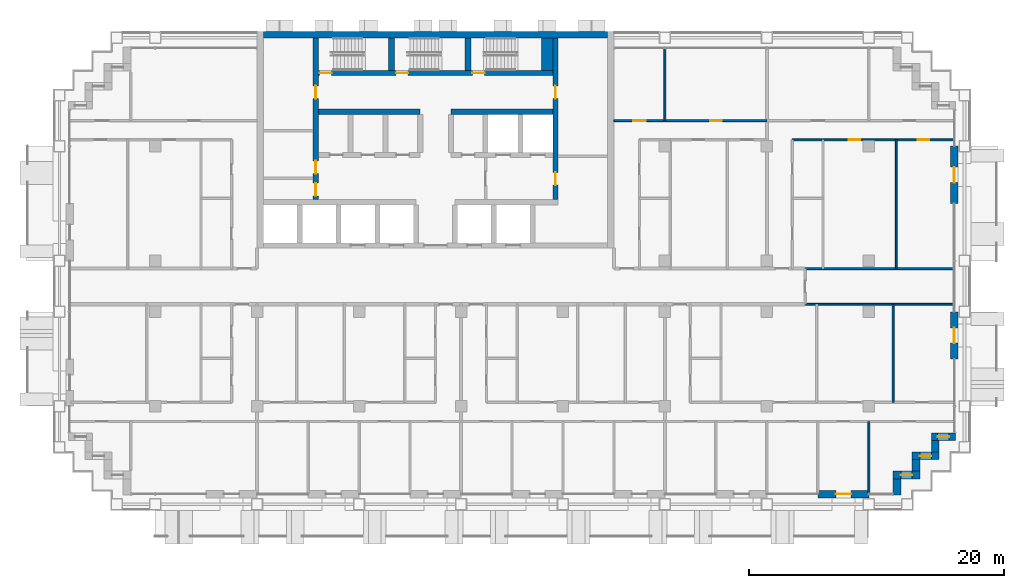
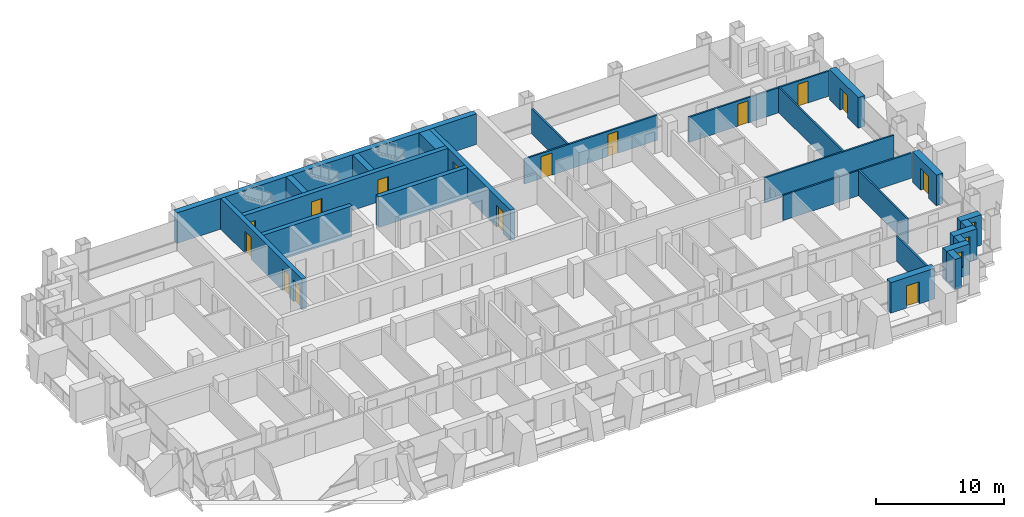
# One storey, part 13 of 18: 26 walls, 15 doors, 3 windows, 18 openings.
"""IFC4 building model written with IfcOpenShell, lengths in metres."""

from ifc_helpers import new_model, si_unit, direction, frame, frame_2d, origin, place, context, subcontext, project, spatial, rectangle, extrude, material, layer, layer_set, type_object, element, fill, save


model = new_model("IFC4")

# Units and contexts
model_context = context("Model", 3, precision=1e-05, world=origin(), true_north=direction((0.0, 1.0)))
body_context = subcontext(model_context, "Body", "Model", "MODEL_VIEW")
ifc_project = project(units=[si_unit("LENGTHUNIT", "METRE"), si_unit("AREAUNIT", "SQUARE_METRE"), si_unit("VOLUMEUNIT", "CUBIC_METRE"), si_unit("PLANEANGLEUNIT", "RADIAN"), si_unit("MASSUNIT", "GRAM", prefix="KILO")], contexts=[model_context])

# Site, building, storey
site_placement = place(None, origin())
site = spatial("IfcSite", under=ifc_project, at=site_placement, CompositionType="ELEMENT")
building_placement = place(site_placement, origin())
building = spatial("IfcBuilding", under=site, at=building_placement, Name="Vidyagriha Tower", CompositionType="ELEMENT")
storey_placement = place(building_placement, frame((0.0, 0.0, 90.300048828125)))
storey = spatial("IfcBuildingStorey", under=building, at=storey_placement, Name="L23", CompositionType="ELEMENT", Elevation=90.300048828125)

# Wall, opening, door
ifc_material_1 = material(Name="Precast concrete C40/50 with brick facing", Category="concrete")
ifc_layer_1 = layer(ifc_material_1, 0.60009765625)
ifc_layer_set_1 = layer_set([ifc_layer_1], Name="Precast concrete C40/50 with brick facing")
wall_type_1 = type_object("IfcWallType", Name="Brick-faced precast wall 600", PredefinedType="STANDARD", material=ifc_layer_set_1)
wall_1_placement = place(storey_placement, frame((30.0, -16.300048828125, 0.0)))
wall_1 = element("IfcWall", 1, at=wall_1_placement, inside=storey, type_object=wall_type_1, Name="Brick door bay wall L23 R23.15", PredefinedType="STANDARD", context=body_context, shape_type="SweptSolid", body=[
    extrude(rectangle(XDim=4.0, YDim=0.60009765625, at=frame_2d((2.0, 0.0))), origin(), (0.0, 0.0, 1.0), 2.919921875),
])
opening_1_placement = place(wall_1_placement, frame((1.39990234375, 0.0, 0.0)))
opening_1 = element("IfcOpeningElement", 2, at=opening_1_placement, cuts=wall_1, Name="Opening D23-83", PredefinedType="OPENING", context=body_context, shape_type="SweptSolid", body=[
    extrude(rectangle(XDim=1.199951171875, YDim=2.10009765625, at=frame_2d((0.60009765625, 1.050048828125))), frame((0.0, 0.31005859375, 0.0), z_axis=(0.0, -1.0, 0.0), x_axis=(1.0, 0.0, 0.0)), (0.0, 0.0, 1.0), 0.6201171875),
])
ifc_material_2 = material(Name="Aluminium framed glazed sliding door", Category="aluminium")
door_type_1 = type_object("IfcDoorType", Name="Balcony sliding door 1200x2100", OperationType="NOTDEFINED", PredefinedType="DOOR", material=ifc_material_2)
door_1_placement = place(opening_1_placement, origin())
door_1 = element("IfcDoor", 3, at=door_1_placement, inside=storey, type_object=door_type_1, Name="Door D23-83", OperationType="SLIDING_TO_LEFT", OverallHeight=2.10009765625, OverallWidth=1.199951171875, PredefinedType="DOOR", context=body_context, shape_type="SweptSolid", body=[
    extrude(rectangle(XDim=1.199951171875, YDim=2.10009765625, at=frame_2d((0.60009765625, 1.050048828125))), frame((0.0, 0.02490234375, 0.0), z_axis=(0.0, -1.0, 0.0), x_axis=(1.0, 0.0, 0.0)), (0.0, 0.0, 1.0), 0.050048828125),
])
fill(opening_1, door_1)

# Wall
wall_2_placement = place(storey_placement, frame((36.199951171875, -16.3798828125, 0.0), z_axis=(0.0, 0.0, 1.0), x_axis=(0.0, 1.0, 0.0)))
element("IfcWall", 4, at=wall_2_placement, inside=storey, type_object=wall_type_1, Name="Stepped corner wall L23 R24", PredefinedType="STANDARD", context=body_context, shape_type="SweptSolid", body=[
    extrude(rectangle(XDim=1.27978515625, YDim=0.60009765625, at=frame_2d((0.639892578125, 0.0))), origin(), (0.0, 0.0, 1.0), 2.919921875),
])

# Wall, opening, window
wall_3_placement = place(storey_placement, frame((35.89990234375, -14.800048828125, 0.0)))
wall_3 = element("IfcWall", 5, at=wall_3_placement, inside=storey, type_object=wall_type_1, Name="Stepped corner wall L23 R25", PredefinedType="STANDARD", context=body_context, shape_type="SweptSolid", body=[
    extrude(rectangle(XDim=2.10009765625, YDim=0.60009765625, at=frame_2d((1.050048828125, 0.0))), origin(), (0.0, 0.0, 1.0), 2.919921875),
])
opening_2_placement = place(wall_3_placement, frame((0.60009765625, 0.0, 0.89990234375)))
opening_2 = element("IfcOpeningElement", 6, at=opening_2_placement, cuts=wall_3, Name="Opening WN1", PredefinedType="OPENING", context=body_context, shape_type="SweptSolid", body=[
    extrude(rectangle(XDim=0.89990234375, YDim=1.5, at=frame_2d((0.449951171875, 0.75))), frame((0.0, 0.31005859375, 0.0), z_axis=(0.0, -1.0, 0.0), x_axis=(1.0, 0.0, 0.0)), (0.0, 0.0, 1.0), 0.6201171875),
])
ifc_material_3 = material(Name="Aluminium and glass window", Category="aluminium")
window_type = type_object("IfcWindowType", Name="Reveal window 900x1500", PartitioningType="NOTDEFINED", PredefinedType="WINDOW", material=ifc_material_3)
window_1_placement = place(opening_2_placement, origin())
window_1 = element("IfcWindow", 7, at=window_1_placement, inside=storey, type_object=window_type, Name="Reveal window L23 R25", OverallHeight=1.5, OverallWidth=0.89990234375, PartitioningType="SINGLE_PANEL", PredefinedType="WINDOW", context=body_context, shape_type="SweptSolid", body=[
    extrude(rectangle(XDim=0.89990234375, YDim=1.5, at=frame_2d((0.449951171875, 0.75))), frame((0.0, 0.030029296875, 0.0), z_axis=(0.0, -1.0, 0.0), x_axis=(1.0, 0.0, 0.0)), (0.0, 0.0, 1.0), 0.06005859375),
])
fill(opening_2, window_1)

# Wall
wall_4_placement = place(storey_placement, frame((37.699951171875, -14.5, 0.0), z_axis=(0.0, 0.0, 1.0), x_axis=(0.0, 1.0, 0.0)))
element("IfcWall", 8, at=wall_4_placement, inside=storey, type_object=wall_type_1, Name="Stepped corner wall L23 R26", PredefinedType="STANDARD", context=body_context, shape_type="SweptSolid", body=[
    extrude(rectangle(XDim=0.89990234375, YDim=0.60009765625, at=frame_2d((0.449951171875, 0.0))), origin(), (0.0, 0.0, 1.0), 2.919921875),
])

# Wall, opening, window
wall_5_placement = place(storey_placement, frame((37.39990234375, -13.300048828125, 0.0)))
wall_5 = element("IfcWall", 9, at=wall_5_placement, inside=storey, type_object=wall_type_1, Name="Stepped corner wall L23 R27", PredefinedType="STANDARD", context=body_context, shape_type="SweptSolid", body=[
    extrude(rectangle(XDim=2.10009765625, YDim=0.60009765625, at=frame_2d((1.050048828125, 0.0))), origin(), (0.0, 0.0, 1.0), 2.919921875),
])
opening_3_placement = place(wall_5_placement, frame((0.60009765625, 0.0, 0.89990234375)))
opening_3 = element("IfcOpeningElement", 10, at=opening_3_placement, cuts=wall_5, Name="Opening WN1", PredefinedType="OPENING", context=body_context, shape_type="SweptSolid", body=[
    extrude(rectangle(XDim=0.89990234375, YDim=1.5, at=frame_2d((0.449951171875, 0.75))), frame((0.0, 0.31005859375, 0.0), z_axis=(0.0, -1.0, 0.0), x_axis=(1.0, 0.0, 0.0)), (0.0, 0.0, 1.0), 0.6201171875),
])
window_2_placement = place(opening_3_placement, origin())
window_2 = element("IfcWindow", 11, at=window_2_placement, inside=storey, type_object=window_type, Name="Reveal window L23 R27", OverallHeight=1.5, OverallWidth=0.89990234375, PartitioningType="SINGLE_PANEL", PredefinedType="WINDOW", context=body_context, shape_type="SweptSolid", body=[
    extrude(rectangle(XDim=0.89990234375, YDim=1.5, at=frame_2d((0.449951171875, 0.75))), frame((0.0, 0.030029296875, 0.0), z_axis=(0.0, -1.0, 0.0), x_axis=(1.0, 0.0, 0.0)), (0.0, 0.0, 1.0), 0.06005859375),
])
fill(opening_3, window_2)

# Wall
wall_6_placement = place(storey_placement, frame((39.199951171875, -13.0, 0.0), z_axis=(0.0, 0.0, 1.0), x_axis=(0.0, 1.0, 0.0)))
element("IfcWall", 12, at=wall_6_placement, inside=storey, type_object=wall_type_1, Name="Stepped corner wall L23 R28", PredefinedType="STANDARD", context=body_context, shape_type="SweptSolid", body=[
    extrude(rectangle(XDim=0.89990234375, YDim=0.60009765625, at=frame_2d((0.449951171875, 0.0))), origin(), (0.0, 0.0, 1.0), 2.919921875),
])

# Wall, opening, window
wall_7_placement = place(storey_placement, frame((38.89990234375, -11.800048828125, 0.0)))
wall_7 = element("IfcWall", 13, at=wall_7_placement, inside=storey, type_object=wall_type_1, Name="Stepped corner wall L23 R29", PredefinedType="STANDARD", context=body_context, shape_type="SweptSolid", body=[
    extrude(rectangle(XDim=1.880126953125, YDim=0.60009765625, at=frame_2d((0.93994140625, 0.0))), origin(), (0.0, 0.0, 1.0), 2.919921875),
])
opening_4_placement = place(wall_7_placement, frame((0.489990234375, 0.0, 0.89990234375)))
opening_4 = element("IfcOpeningElement", 14, at=opening_4_placement, cuts=wall_7, Name="Opening WN1", PredefinedType="OPENING", context=body_context, shape_type="SweptSolid", body=[
    extrude(rectangle(XDim=0.89990234375, YDim=1.5, at=frame_2d((0.449951171875, 0.75))), frame((0.0, 0.31005859375, 0.0), z_axis=(0.0, -1.0, 0.0), x_axis=(1.0, 0.0, 0.0)), (0.0, 0.0, 1.0), 0.6201171875),
])
window_3_placement = place(opening_4_placement, origin())
window_3 = element("IfcWindow", 15, at=window_3_placement, inside=storey, type_object=window_type, Name="Reveal window L23 R29", OverallHeight=1.5, OverallWidth=0.89990234375, PartitioningType="SINGLE_PANEL", PredefinedType="WINDOW", context=body_context, shape_type="SweptSolid", body=[
    extrude(rectangle(XDim=0.89990234375, YDim=1.5, at=frame_2d((0.449951171875, 0.75))), frame((0.0, 0.030029296875, 0.0), z_axis=(0.0, -1.0, 0.0), x_axis=(1.0, 0.0, 0.0)), (0.0, 0.0, 1.0), 0.06005859375),
])
fill(opening_4, window_3)

# Wall, opening, door
wall_8_placement = place(storey_placement, frame((40.699951171875, -5.699951171875, 0.0), z_axis=(0.0, 0.0, 1.0), x_axis=(0.0, 1.0, 0.0)))
wall_8 = element("IfcWall", 16, at=wall_8_placement, inside=storey, type_object=wall_type_1, Name="Brick door bay wall L23 R30.3", PredefinedType="STANDARD", context=body_context, shape_type="SweptSolid", body=[
    extrude(rectangle(XDim=3.699951171875, YDim=0.60009765625, at=frame_2d((1.85009765625, 0.0))), origin(), (0.0, 0.0, 1.0), 2.919921875),
])
opening_5_placement = place(wall_8_placement, frame((1.25, 0.0, 0.0)))
opening_5 = element("IfcOpeningElement", 17, at=opening_5_placement, cuts=wall_8, Name="Opening D23-84", PredefinedType="OPENING", context=body_context, shape_type="SweptSolid", body=[
    extrude(rectangle(XDim=1.199951171875, YDim=2.10009765625, at=frame_2d((0.60009765625, 1.050048828125))), frame((0.0, 0.31005859375, 0.0), z_axis=(0.0, -1.0, 0.0), x_axis=(1.0, 0.0, 0.0)), (0.0, 0.0, 1.0), 0.6201171875),
])
door_2_placement = place(opening_5_placement, origin())
door_2 = element("IfcDoor", 18, at=door_2_placement, inside=storey, type_object=door_type_1, Name="Door D23-84", OperationType="SLIDING_TO_LEFT", OverallHeight=2.10009765625, OverallWidth=1.199951171875, PredefinedType="DOOR", context=body_context, shape_type="SweptSolid", body=[
    extrude(rectangle(XDim=1.199951171875, YDim=2.10009765625, at=frame_2d((0.60009765625, 1.050048828125))), frame((0.0, 0.02490234375, 0.0), z_axis=(0.0, -1.0, 0.0), x_axis=(1.0, 0.0, 0.0)), (0.0, 0.0, 1.0), 0.050048828125),
])
fill(opening_5, door_2)

wall_9_placement = place(storey_placement, frame((40.699951171875, 6.5, 0.0), z_axis=(0.0, 0.0, 1.0), x_axis=(0.0, 1.0, 0.0)))
wall_9 = element("IfcWall", 19, at=wall_9_placement, inside=storey, type_object=wall_type_1, Name="Brick door bay wall L23 R30.6", PredefinedType="STANDARD", context=body_context, shape_type="SweptSolid", body=[
    extrude(rectangle(XDim=4.5, YDim=0.60009765625, at=frame_2d((2.25, 0.0))), origin(), (0.0, 0.0, 1.0), 2.919921875),
])
opening_6_placement = place(wall_9_placement, frame((1.64990234375, 0.0, 0.0)))
opening_6 = element("IfcOpeningElement", 20, at=opening_6_placement, cuts=wall_9, Name="Opening D23-85", PredefinedType="OPENING", context=body_context, shape_type="SweptSolid", body=[
    extrude(rectangle(XDim=1.199951171875, YDim=2.10009765625, at=frame_2d((0.60009765625, 1.050048828125))), frame((0.0, 0.31005859375, 0.0), z_axis=(0.0, -1.0, 0.0), x_axis=(1.0, 0.0, 0.0)), (0.0, 0.0, 1.0), 0.6201171875),
])
door_3_placement = place(opening_6_placement, origin())
door_3 = element("IfcDoor", 21, at=door_3_placement, inside=storey, type_object=door_type_1, Name="Door D23-85", OperationType="SLIDING_TO_LEFT", OverallHeight=2.10009765625, OverallWidth=1.199951171875, PredefinedType="DOOR", context=body_context, shape_type="SweptSolid", body=[
    extrude(rectangle(XDim=1.199951171875, YDim=2.10009765625, at=frame_2d((0.60009765625, 1.050048828125))), frame((0.0, 0.02490234375, 0.0), z_axis=(0.0, -1.0, 0.0), x_axis=(1.0, 0.0, 0.0)), (0.0, 0.0, 1.0), 0.050048828125),
])
fill(opening_6, door_3)

# Wall, openings, doors
ifc_material_4 = material(Name="Concrete C60/75", Category="concrete")
ifc_layer_2 = layer(ifc_material_4, 0.39990234375)
ifc_layer_set_2 = layer_set([ifc_layer_2], Name="Concrete C60/75")
wall_type_2 = type_object("IfcWallType", Name="Core shear wall 400 mm", PredefinedType="SHEAR", material=ifc_layer_set_2)
wall_10_placement = place(storey_placement, frame((-9.39990234375, 6.800048828125, 0.0), z_axis=(0.0, 0.0, 1.0), x_axis=(0.0, 1.0, 0.0)))
wall_10 = element("IfcWall", 22, at=wall_10_placement, inside=storey, type_object=wall_type_2, Name="Core west spine wall", PredefinedType="SHEAR", context=body_context, shape_type="SweptSolid", body=[
    extrude(rectangle(XDim=12.699951171875, YDim=0.39990234375, at=frame_2d((6.35009765625, 0.0))), origin(), (0.0, 0.0, 1.0), 2.919921875),
])
opening_7_placement = place(wall_10_placement, frame((0.300048828125, 0.0, 0.0)))
opening_7 = element("IfcOpeningElement", 23, at=opening_7_placement, cuts=wall_10, Name="Opening D23-10", PredefinedType="OPENING", context=body_context, shape_type="SweptSolid", body=[
    extrude(rectangle(XDim=1.0, YDim=2.10009765625, at=frame_2d((0.5, 1.050048828125))), frame((0.0, 0.2099609375, 0.0), z_axis=(0.0, -1.0, 0.0), x_axis=(1.0, 0.0, 0.0)), (0.0, 0.0, 1.0), 0.419921875),
])
opening_8_placement = place(wall_10_placement, frame((2.050048828125, 0.0, 0.0)))
opening_8 = element("IfcOpeningElement", 24, at=opening_8_placement, cuts=wall_10, Name="Opening D23-11", PredefinedType="OPENING", context=body_context, shape_type="SweptSolid", body=[
    extrude(rectangle(XDim=1.0, YDim=2.10009765625, at=frame_2d((0.5, 1.050048828125))), frame((0.0, 0.2099609375, 0.0), z_axis=(0.0, -1.0, 0.0), x_axis=(1.0, 0.0, 0.0)), (0.0, 0.0, 1.0), 0.419921875),
])
opening_9_placement = place(wall_10_placement, frame((7.925048828125, 0.0, 0.0)))
opening_9 = element("IfcOpeningElement", 25, at=opening_9_placement, cuts=wall_10, Name="Opening D23-12", PredefinedType="OPENING", context=body_context, shape_type="SweptSolid", body=[
    extrude(rectangle(XDim=1.0, YDim=2.10009765625, at=frame_2d((0.5, 1.050048828125))), frame((0.0, 0.2099609375, 0.0), z_axis=(0.0, -1.0, 0.0), x_axis=(1.0, 0.0, 0.0)), (0.0, 0.0, 1.0), 0.419921875),
])
ifc_material_5 = material(Name="Hollow metal door leaf")
door_type_2 = type_object("IfcDoorType", Name="Core room door 1000 x 2100 mm EI 60", OperationType="NOTDEFINED", PredefinedType="DOOR", material=ifc_material_5)
door_4_placement = place(opening_7_placement, frame((1.0, 0.0, 0.0), z_axis=(0.0, 0.0, 1.0), x_axis=(-1.0, 0.0, 0.0)))
door_4 = element("IfcDoor", 26, at=door_4_placement, inside=storey, type_object=door_type_2, Name="Door Switchgear Room 23.W1", OperationType="SINGLE_SWING_RIGHT", OverallHeight=2.10009765625, OverallWidth=1.0, PredefinedType="DOOR", context=body_context, shape_type="SweptSolid", body=[
    extrude(rectangle(XDim=1.0, YDim=2.10009765625, at=frame_2d((0.5, 1.050048828125))), frame((0.0, 0.02490234375, 0.0), z_axis=(0.0, -1.0, 0.0), x_axis=(1.0, 0.0, 0.0)), (0.0, 0.0, 1.0), 0.050048828125),
])
fill(opening_7, door_4)
door_5_placement = place(opening_8_placement, frame((1.0, 0.0, 0.0), z_axis=(0.0, 0.0, 1.0), x_axis=(-1.0, 0.0, 0.0)))
door_5 = element("IfcDoor", 27, at=door_5_placement, inside=storey, type_object=door_type_2, Name="Door Communications Room 23.W2", OperationType="SINGLE_SWING_LEFT", OverallHeight=2.10009765625, OverallWidth=1.0, PredefinedType="DOOR", context=body_context, shape_type="SweptSolid", body=[
    extrude(rectangle(XDim=1.0, YDim=2.10009765625, at=frame_2d((0.5, 1.050048828125))), frame((0.0, 0.02490234375, 0.0), z_axis=(0.0, -1.0, 0.0), x_axis=(1.0, 0.0, 0.0)), (0.0, 0.0, 1.0), 0.050048828125),
])
fill(opening_8, door_5)
door_6_placement = place(opening_9_placement, frame((1.0, 0.0, 0.0), z_axis=(0.0, 0.0, 1.0), x_axis=(-1.0, 0.0, 0.0)))
door_6 = element("IfcDoor", 28, at=door_6_placement, inside=storey, type_object=door_type_2, Name="Door Pressurisation Plant Room 23.W3", OperationType="SINGLE_SWING_LEFT", OverallHeight=2.10009765625, OverallWidth=1.0, PredefinedType="DOOR", context=body_context, shape_type="SweptSolid", body=[
    extrude(rectangle(XDim=1.0, YDim=2.10009765625, at=frame_2d((0.5, 1.050048828125))), frame((0.0, 0.02490234375, 0.0), z_axis=(0.0, -1.0, 0.0), x_axis=(1.0, 0.0, 0.0)), (0.0, 0.0, 1.0), 0.050048828125),
])
fill(opening_9, door_6)

wall_11_placement = place(storey_placement, frame((9.39990234375, 6.800048828125, 0.0), z_axis=(0.0, 0.0, 1.0), x_axis=(0.0, 1.0, 0.0)))
wall_11 = element("IfcWall", 29, at=wall_11_placement, inside=storey, type_object=wall_type_2, Name="Core east spine wall", PredefinedType="SHEAR", context=body_context, shape_type="SweptSolid", body=[
    extrude(rectangle(XDim=12.699951171875, YDim=0.39990234375, at=frame_2d((6.35009765625, 0.0))), origin(), (0.0, 0.0, 1.0), 2.919921875),
])
opening_10_placement = place(wall_11_placement, frame((1.14990234375, 0.0, 0.0)))
opening_10 = element("IfcOpeningElement", 30, at=opening_10_placement, cuts=wall_11, Name="Opening D23-13", PredefinedType="OPENING", context=body_context, shape_type="SweptSolid", body=[
    extrude(rectangle(XDim=1.0, YDim=2.10009765625, at=frame_2d((0.5, 1.050048828125))), frame((0.0, 0.2099609375, 0.0), z_axis=(0.0, -1.0, 0.0), x_axis=(1.0, 0.0, 0.0)), (0.0, 0.0, 1.0), 0.419921875),
])
opening_11_placement = place(wall_11_placement, frame((7.925048828125, 0.0, 0.0)))
opening_11 = element("IfcOpeningElement", 31, at=opening_11_placement, cuts=wall_11, Name="Opening D23-14", PredefinedType="OPENING", context=body_context, shape_type="SweptSolid", body=[
    extrude(rectangle(XDim=1.0, YDim=2.10009765625, at=frame_2d((0.5, 1.050048828125))), frame((0.0, 0.2099609375, 0.0), z_axis=(0.0, -1.0, 0.0), x_axis=(1.0, 0.0, 0.0)), (0.0, 0.0, 1.0), 0.419921875),
])
door_7_placement = place(opening_10_placement, origin())
door_7 = element("IfcDoor", 32, at=door_7_placement, inside=storey, type_object=door_type_2, Name="Door Electrical Room 23.E1", OperationType="SINGLE_SWING_RIGHT", OverallHeight=2.10009765625, OverallWidth=1.0, PredefinedType="DOOR", context=body_context, shape_type="SweptSolid", body=[
    extrude(rectangle(XDim=1.0, YDim=2.10009765625, at=frame_2d((0.5, 1.050048828125))), frame((0.0, 0.02490234375, 0.0), z_axis=(0.0, -1.0, 0.0), x_axis=(1.0, 0.0, 0.0)), (0.0, 0.0, 1.0), 0.050048828125),
])
fill(opening_10, door_7)
door_8_placement = place(opening_11_placement, origin())
door_8 = element("IfcDoor", 33, at=door_8_placement, inside=storey, type_object=door_type_2, Name="Door Refuse Room 23.E2", OperationType="SINGLE_SWING_LEFT", OverallHeight=2.10009765625, OverallWidth=1.0, PredefinedType="DOOR", context=body_context, shape_type="SweptSolid", body=[
    extrude(rectangle(XDim=1.0, YDim=2.10009765625, at=frame_2d((0.5, 1.050048828125))), frame((0.0, 0.02490234375, 0.0), z_axis=(0.0, -1.0, 0.0), x_axis=(1.0, 0.0, 0.0)), (0.0, 0.0, 1.0), 0.050048828125),
])
fill(opening_11, door_8)

# Walls
for number, where, name in (
    (34, (-9.199951171875, 13.699951171875, 0.0), "Core row N rear wall"),
    (35, (1.199951171875, 13.699951171875, 0.0), "Core row N rear wall"),
):
    element("IfcWall", number, at=place(storey_placement, frame(where)), inside=storey, type_object=wall_type_2, Name=name, PredefinedType="SHEAR", context=body_context, shape_type="SweptSolid", body=[
        extrude(rectangle(XDim=8.0, YDim=0.39990234375, at=frame_2d((4.0, 0.0))), origin(), (0.0, 0.0, 1.0), 2.919921875),
    ])

# Wall, openings, doors
wall_12_placement = place(storey_placement, frame((-9.199951171875, 16.75, 0.0)))
wall_12 = element("IfcWall", 36, at=wall_12_placement, inside=storey, type_object=wall_type_2, Name="Stair front wall", PredefinedType="SHEAR", context=body_context, shape_type="SweptSolid", body=[
    extrude(rectangle(XDim=18.39990234375, YDim=0.39990234375, at=frame_2d((9.199951171875, 0.0))), origin(), (0.0, 0.0, 1.0), 2.919921875),
])
opening_12_placement = place(wall_12_placement, frame((0.10009765625, 0.0, 0.0)))
opening_12 = element("IfcOpeningElement", 37, at=opening_12_placement, cuts=wall_12, Name="Opening D23-07", PredefinedType="OPENING", context=body_context, shape_type="SweptSolid", body=[
    extrude(rectangle(XDim=0.949951171875, YDim=2.10009765625, at=frame_2d((0.47509765625, 1.050048828125))), frame((0.0, 0.2099609375, 0.0), z_axis=(0.0, -1.0, 0.0), x_axis=(1.0, 0.0, 0.0)), (0.0, 0.0, 1.0), 0.419921875),
])
opening_13_placement = place(wall_12_placement, frame((6.10009765625, 0.0, 0.0)))
opening_13 = element("IfcOpeningElement", 38, at=opening_13_placement, cuts=wall_12, Name="Opening D23-08", PredefinedType="OPENING", context=body_context, shape_type="SweptSolid", body=[
    extrude(rectangle(XDim=0.949951171875, YDim=2.10009765625, at=frame_2d((0.47509765625, 1.050048828125))), frame((0.0, 0.2099609375, 0.0), z_axis=(0.0, -1.0, 0.0), x_axis=(1.0, 0.0, 0.0)), (0.0, 0.0, 1.0), 0.419921875),
])
opening_14_placement = place(wall_12_placement, frame((12.10009765625, 0.0, 0.0)))
opening_14 = element("IfcOpeningElement", 39, at=opening_14_placement, cuts=wall_12, Name="Opening D23-09", PredefinedType="OPENING", context=body_context, shape_type="SweptSolid", body=[
    extrude(rectangle(XDim=0.949951171875, YDim=2.10009765625, at=frame_2d((0.47509765625, 1.050048828125))), frame((0.0, 0.2099609375, 0.0), z_axis=(0.0, -1.0, 0.0), x_axis=(1.0, 0.0, 0.0)), (0.0, 0.0, 1.0), 0.419921875),
])
ifc_material_6 = material(Name="Hollow metal door leaf")
door_type_3 = type_object("IfcDoorType", Name="Exit stair door 950 x 2100 mm EI 90", OperationType="NOTDEFINED", PredefinedType="DOOR", material=ifc_material_6)
door_9_placement = place(opening_12_placement, origin())
door_9 = element("IfcDoor", 40, at=door_9_placement, inside=storey, type_object=door_type_3, Name="Stair door ST1 L23", OperationType="SINGLE_SWING_LEFT", OverallHeight=2.10009765625, OverallWidth=0.949951171875, PredefinedType="DOOR", context=body_context, shape_type="SweptSolid", body=[
    extrude(rectangle(XDim=0.949951171875, YDim=2.10009765625, at=frame_2d((0.47509765625, 1.050048828125))), frame((0.0, 0.02490234375, 0.0), z_axis=(0.0, -1.0, 0.0), x_axis=(1.0, 0.0, 0.0)), (0.0, 0.0, 1.0), 0.050048828125),
])
fill(opening_12, door_9)
door_10_placement = place(opening_13_placement, origin())
door_10 = element("IfcDoor", 41, at=door_10_placement, inside=storey, type_object=door_type_3, Name="Stair door ST2 L23", OperationType="SINGLE_SWING_LEFT", OverallHeight=2.10009765625, OverallWidth=0.949951171875, PredefinedType="DOOR", context=body_context, shape_type="SweptSolid", body=[
    extrude(rectangle(XDim=0.949951171875, YDim=2.10009765625, at=frame_2d((0.47509765625, 1.050048828125))), frame((0.0, 0.02490234375, 0.0), z_axis=(0.0, -1.0, 0.0), x_axis=(1.0, 0.0, 0.0)), (0.0, 0.0, 1.0), 0.050048828125),
])
fill(opening_13, door_10)
door_11_placement = place(opening_14_placement, origin())
door_11 = element("IfcDoor", 42, at=door_11_placement, inside=storey, type_object=door_type_3, Name="Stair door ST3 L23", OperationType="SINGLE_SWING_LEFT", OverallHeight=2.10009765625, OverallWidth=0.949951171875, PredefinedType="DOOR", context=body_context, shape_type="SweptSolid", body=[
    extrude(rectangle(XDim=0.949951171875, YDim=2.10009765625, at=frame_2d((0.47509765625, 1.050048828125))), frame((0.0, 0.02490234375, 0.0), z_axis=(0.0, -1.0, 0.0), x_axis=(1.0, 0.0, 0.0)), (0.0, 0.0, 1.0), 0.050048828125),
])
fill(opening_14, door_11)

# Walls
ifc_material_7 = material(Name="Concrete C60/75", Category="concrete")
ifc_layer_3 = layer(ifc_material_7, 0.5)
ifc_layer_set_3 = layer_set([ifc_layer_3], Name="Concrete C60/75")
wall_type_3 = type_object("IfcWallType", Name="Core shear wall 500 mm", PredefinedType="SHEAR", material=ifc_layer_set_3)
wall_13_placement = place(storey_placement, frame((-13.5, 19.75, 0.0)))
element("IfcWall", 43, at=wall_13_placement, inside=storey, type_object=wall_type_3, Name="Core north wall", PredefinedType="SHEAR", context=body_context, shape_type="SweptSolid", body=[
    extrude(rectangle(XDim=27.0, YDim=0.5, at=frame_2d((13.5, 0.0))), origin(), (0.0, 0.0, 1.0), 2.919921875),
])
for number, where, z_axis, x_axis, name in (
    (44, (-3.449951171875, 16.949951171875, 0.0), (0.0, 0.0, 1.0), (0.0, 1.0, 0.0), "Stair partition wall 1"),
    (45, (2.550048828125, 16.949951171875, 0.0), (0.0, 0.0, 1.0), (0.0, 1.0, 0.0), "Stair partition wall 2"),
):
    element("IfcWall", number, at=place(storey_placement, frame(where, z_axis=z_axis, x_axis=x_axis)), inside=storey, type_object=wall_type_3, Name=name, PredefinedType="SHEAR", context=body_context, shape_type="SweptSolid", body=[
        extrude(rectangle(XDim=2.550048828125, YDim=0.5, at=frame_2d((1.27490234375, 0.0))), origin(), (0.0, 0.0, 1.0), 2.919921875),
    ])
ifc_material_8 = material(Name="Concrete C60/75", Category="concrete")
ifc_layer_4 = layer(ifc_material_8, 0.89990234375)
ifc_layer_set_4 = layer_set([ifc_layer_4], Name="Concrete C60/75")
wall_type_4 = type_object("IfcWallType", Name="Core shear wall 900 mm", PredefinedType="SHEAR", material=ifc_layer_set_4)
wall_14_placement = place(storey_placement, frame((8.75, 16.949951171875, 0.0), z_axis=(0.0, 0.0, 1.0), x_axis=(0.0, 1.0, 0.0)))
element("IfcWall", 46, at=wall_14_placement, inside=storey, type_object=wall_type_4, Name="Stair end wall", PredefinedType="SHEAR", context=body_context, shape_type="SweptSolid", body=[
    extrude(rectangle(XDim=2.550048828125, YDim=0.89990234375, at=frame_2d((1.27490234375, 0.0))), origin(), (0.0, 0.0, 1.0), 2.919921875),
])
ifc_material_9 = material(Name="Gypsum board partition")
ifc_layer_5 = layer(ifc_material_9, 0.14990234375)
ifc_layer_set_5 = layer_set([ifc_layer_5], Name="Gypsum board partition")
wall_type_5 = type_object("IfcWallType", Name="Gypsum board partition 150", PredefinedType="PARTITIONING", material=ifc_layer_set_5)
wall_15_placement = place(storey_placement, frame((35.89990234375, -1.39990234375, 0.0), z_axis=(0.0, 0.0, 1.0), x_axis=(0.0, -1.0, 0.0)))
element("IfcWall", 47, at=wall_15_placement, inside=storey, type_object=wall_type_5, Name="Wall all-L23-w063", PredefinedType="PARTITIONING", context=body_context, shape_type="SweptSolid", body=[
    extrude(rectangle(XDim=7.7001953125, YDim=0.14990234375, at=frame_2d((3.85009765625, 0.0))), origin(), (0.0, 0.0, 1.0), 2.39990234375),
])
wall_16_placement = place(storey_placement, frame((34.0, -10.60009765625, 0.0), z_axis=(0.0, 0.0, 1.0), x_axis=(0.0, -1.0, 0.0)))
element("IfcWall", 48, at=wall_16_placement, inside=storey, type_object=wall_type_5, Name="Wall all-L23-w077", PredefinedType="PARTITIONING", context=body_context, shape_type="SweptSolid", body=[
    extrude(rectangle(XDim=5.60986328125, YDim=0.14990234375, at=frame_2d((2.804931640625, 0.0))), origin(), (0.0, 0.0, 1.0), 2.39990234375),
])
wall_17_placement = place(storey_placement, frame((40.6201171875, -1.39990234375, 0.0), z_axis=(0.0, 0.0, 1.0), x_axis=(-1.0, 0.0, 0.0)))
element("IfcWall", 49, at=wall_17_placement, inside=storey, type_object=wall_type_5, Name="Wall all-L23-w082", PredefinedType="PARTITIONING", context=body_context, shape_type="SweptSolid", body=[
    extrude(rectangle(XDim=11.6201171875, YDim=0.14990234375, at=frame_2d((5.81005859375, 0.0))), origin(), (0.0, 0.0, 1.0), 2.39990234375),
])

# Wall, openings, doors
wall_18_placement = place(storey_placement, frame((14.0, 13.0, 0.0)))
wall_18 = element("IfcWall", 50, at=wall_18_placement, inside=storey, type_object=wall_type_5, Name="Wall all-L23-w107", PredefinedType="PARTITIONING", context=body_context, shape_type="SweptSolid", body=[
    extrude(rectangle(XDim=12.0, YDim=0.14990234375, at=frame_2d((6.0, 0.0))), origin(), (0.0, 0.0, 1.0), 2.39990234375),
])
opening_15_placement = place(wall_18_placement, frame((1.5, 0.0, 0.0)))
opening_15 = element("IfcOpeningElement", 51, at=opening_15_placement, cuts=wall_18, Name="Opening D23-64", PredefinedType="OPENING", context=body_context, shape_type="SweptSolid", body=[
    extrude(rectangle(XDim=1.0, YDim=2.10009765625, at=frame_2d((0.5, 1.050048828125))), frame((0.0, 0.0849609375, 0.0), z_axis=(0.0, -1.0, 0.0), x_axis=(1.0, 0.0, 0.0)), (0.0, 0.0, 1.0), 0.169921875),
])
opening_16_placement = place(wall_18_placement, frame((7.550048828125, 0.0, 0.0)))
opening_16 = element("IfcOpeningElement", 52, at=opening_16_placement, cuts=wall_18, Name="Opening D23-65", PredefinedType="OPENING", context=body_context, shape_type="SweptSolid", body=[
    extrude(rectangle(XDim=0.89990234375, YDim=2.10009765625, at=frame_2d((0.449951171875, 1.050048828125))), frame((0.0, 0.0849609375, 0.0), z_axis=(0.0, -1.0, 0.0), x_axis=(1.0, 0.0, 0.0)), (0.0, 0.0, 1.0), 0.169921875),
])
ifc_material_10 = material(Name="Timber door leaf", Category="wood")
door_type_4 = type_object("IfcDoorType", Name="Room door 1000x2100", OperationType="NOTDEFINED", PredefinedType="DOOR", material=ifc_material_10)
door_12_placement = place(opening_15_placement, origin())
door_12 = element("IfcDoor", 53, at=door_12_placement, inside=storey, type_object=door_type_4, Name="Door D23-64", OperationType="SINGLE_SWING_RIGHT", OverallHeight=2.10009765625, OverallWidth=1.0, PredefinedType="DOOR", context=body_context, shape_type="SweptSolid", body=[
    extrude(rectangle(XDim=1.0, YDim=2.10009765625, at=frame_2d((0.5, 1.050048828125))), frame((0.0, 0.02490234375, 0.0), z_axis=(0.0, -1.0, 0.0), x_axis=(1.0, 0.0, 0.0)), (0.0, 0.0, 1.0), 0.050048828125),
])
fill(opening_15, door_12)
ifc_material_11 = material(Name="Timber door leaf", Category="wood")
door_type_5 = type_object("IfcDoorType", Name="Room door 900x2100", OperationType="NOTDEFINED", PredefinedType="DOOR", material=ifc_material_11)
door_13_placement = place(opening_16_placement, origin())
door_13 = element("IfcDoor", 54, at=door_13_placement, inside=storey, type_object=door_type_5, Name="Door D23-65", OperationType="SINGLE_SWING_RIGHT", OverallHeight=2.10009765625, OverallWidth=0.89990234375, PredefinedType="DOOR", context=body_context, shape_type="SweptSolid", body=[
    extrude(rectangle(XDim=0.89990234375, YDim=2.10009765625, at=frame_2d((0.449951171875, 1.050048828125))), frame((0.0, 0.02490234375, 0.0), z_axis=(0.0, -1.0, 0.0), x_axis=(1.0, 0.0, 0.0)), (0.0, 0.0, 1.0), 0.050048828125),
])
fill(opening_16, door_13)

# Walls
wall_19_placement = place(storey_placement, frame((18.0, 18.62109375, 0.0), z_axis=(0.0, 0.0, 1.0), x_axis=(0.0, -1.0, 0.0)))
element("IfcWall", 55, at=wall_19_placement, inside=storey, type_object=wall_type_5, Name="Wall all-L23-w110", PredefinedType="PARTITIONING", context=body_context, shape_type="SweptSolid", body=[
    extrude(rectangle(XDim=5.62109375, YDim=0.14990234375, at=frame_2d((2.810546875, 0.0))), origin(), (0.0, 0.0, 1.0), 2.39990234375),
])
wall_20_placement = place(storey_placement, frame((36.14990234375, 11.5, 0.0), z_axis=(0.0, 0.0, 1.0), x_axis=(0.0, -1.0, 0.0)))
element("IfcWall", 56, at=wall_20_placement, inside=storey, type_object=wall_type_5, Name="Wall all-L23-w117", PredefinedType="PARTITIONING", context=body_context, shape_type="SweptSolid", body=[
    extrude(rectangle(XDim=10.10009765625, YDim=0.14990234375, at=frame_2d((5.050048828125, 0.0))), origin(), (0.0, 0.0, 1.0), 2.39990234375),
])

# Wall, openings, doors
wall_21_placement = place(storey_placement, frame((40.6201171875, 11.5, 0.0), z_axis=(0.0, 0.0, 1.0), x_axis=(-1.0, 0.0, 0.0)))
wall_21 = element("IfcWall", 57, at=wall_21_placement, inside=storey, type_object=wall_type_5, Name="Wall all-L23-w118", PredefinedType="PARTITIONING", context=body_context, shape_type="SweptSolid", body=[
    extrude(rectangle(XDim=12.6201171875, YDim=0.14990234375, at=frame_2d((6.31005859375, 0.0))), origin(), (0.0, 0.0, 1.0), 2.39990234375),
])
opening_17_placement = place(wall_21_placement, frame((7.30908203125, 0.0, 0.0)))
opening_17 = element("IfcOpeningElement", 58, at=opening_17_placement, cuts=wall_21, Name="Opening D23-69", PredefinedType="OPENING", context=body_context, shape_type="SweptSolid", body=[
    extrude(rectangle(XDim=0.89990234375, YDim=2.10009765625, at=frame_2d((0.449951171875, 1.050048828125))), frame((0.0, 0.0849609375, 0.0), z_axis=(0.0, -1.0, 0.0), x_axis=(1.0, 0.0, 0.0)), (0.0, 0.0, 1.0), 0.169921875),
])
opening_18_placement = place(wall_21_placement, frame((1.89501953125, 0.0, 0.0)))
opening_18 = element("IfcOpeningElement", 59, at=opening_18_placement, cuts=wall_21, Name="Opening D23-70", PredefinedType="OPENING", context=body_context, shape_type="SweptSolid", body=[
    extrude(rectangle(XDim=0.89990234375, YDim=2.10009765625, at=frame_2d((0.449951171875, 1.050048828125))), frame((0.0, 0.0849609375, 0.0), z_axis=(0.0, -1.0, 0.0), x_axis=(1.0, 0.0, 0.0)), (0.0, 0.0, 1.0), 0.169921875),
])
door_14_placement = place(opening_17_placement, origin())
door_14 = element("IfcDoor", 60, at=door_14_placement, inside=storey, type_object=door_type_5, Name="Door D23-69", OperationType="SINGLE_SWING_RIGHT", OverallHeight=2.10009765625, OverallWidth=0.89990234375, PredefinedType="DOOR", context=body_context, shape_type="SweptSolid", body=[
    extrude(rectangle(XDim=0.89990234375, YDim=2.10009765625, at=frame_2d((0.449951171875, 1.050048828125))), frame((0.0, 0.02490234375, 0.0), z_axis=(0.0, -1.0, 0.0), x_axis=(1.0, 0.0, 0.0)), (0.0, 0.0, 1.0), 0.050048828125),
])
fill(opening_17, door_14)
door_15_placement = place(opening_18_placement, origin())
door_15 = element("IfcDoor", 61, at=door_15_placement, inside=storey, type_object=door_type_5, Name="Door D23-70", OperationType="SINGLE_SWING_RIGHT", OverallHeight=2.10009765625, OverallWidth=0.89990234375, PredefinedType="DOOR", context=body_context, shape_type="SweptSolid", body=[
    extrude(rectangle(XDim=0.89990234375, YDim=2.10009765625, at=frame_2d((0.449951171875, 1.050048828125))), frame((0.0, 0.02490234375, 0.0), z_axis=(0.0, -1.0, 0.0), x_axis=(1.0, 0.0, 0.0)), (0.0, 0.0, 1.0), 0.050048828125),
])
fill(opening_18, door_15)

# Wall
wall_22_placement = place(storey_placement, frame((29.0, 1.39990234375, 0.0)))
element("IfcWall", 62, at=wall_22_placement, inside=storey, type_object=wall_type_5, Name="Wall all-L23-w128", PredefinedType="PARTITIONING", context=body_context, shape_type="SweptSolid", body=[
    extrude(rectangle(XDim=11.6201171875, YDim=0.14990234375, at=frame_2d((5.81005859375, 0.0))), origin(), (0.0, 0.0, 1.0), 2.39990234375),
])

save(model, "model.ifc")
